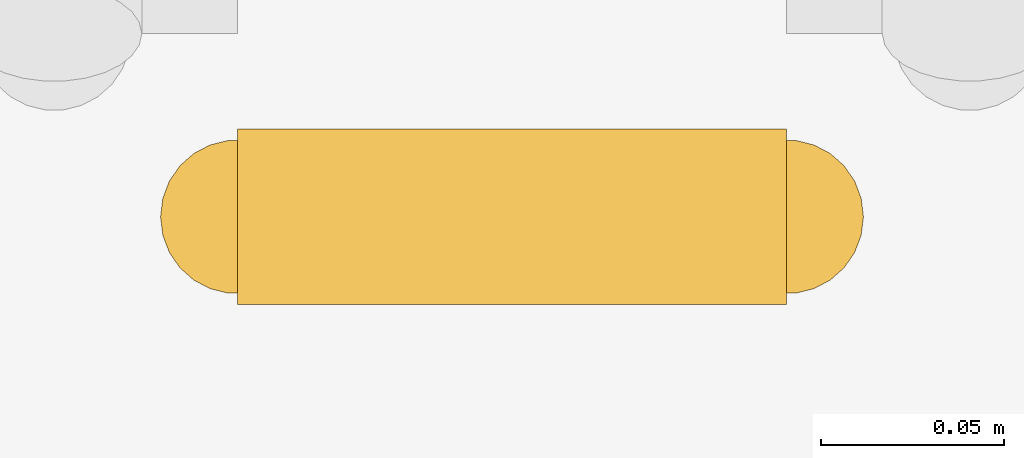
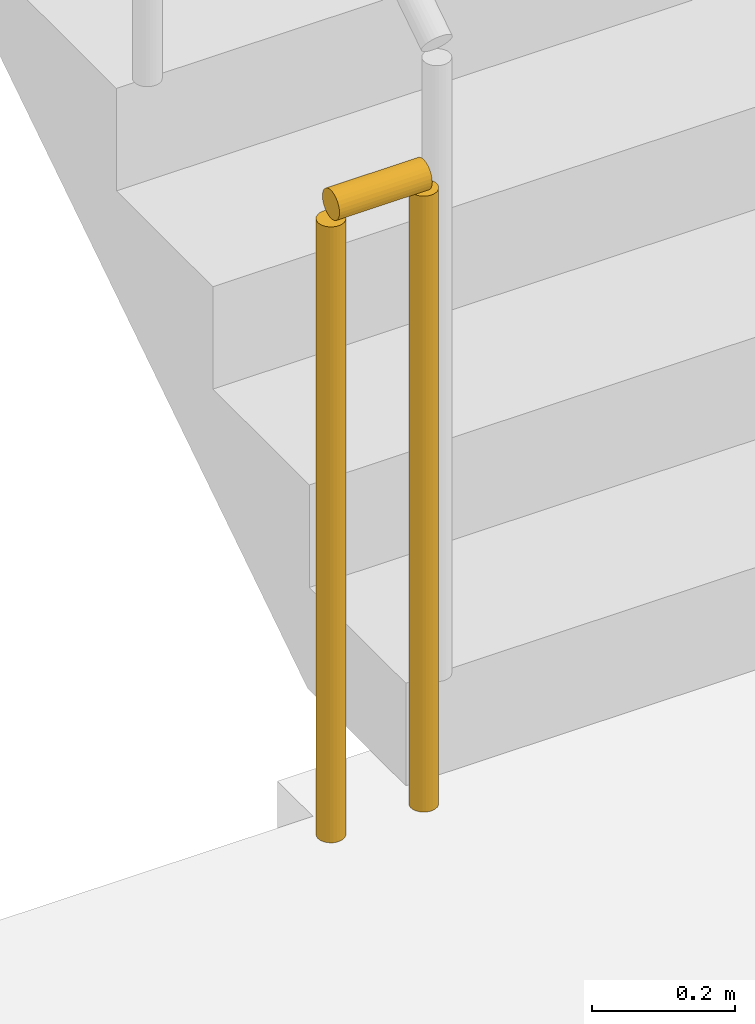
# One storey, part 16 of 19: 1 railing.
"""IFC4 building model written with IfcOpenShell, lengths in metres."""

from ifc_helpers import new_model, si_unit, direction, frame, origin, origin_2d, place, context, subcontext, project, spatial, circle, extrude, material, type_object, element, save


model = new_model("IFC4")

# Units and contexts
model_context = context("Model", 3, precision=1e-05, world=origin(), true_north=direction((0.0, 1.0)))
body_context = subcontext(model_context, "Body", "Model", "MODEL_VIEW")
ifc_project = project(units=[si_unit("LENGTHUNIT", "METRE"), si_unit("AREAUNIT", "SQUARE_METRE"), si_unit("VOLUMEUNIT", "CUBIC_METRE"), si_unit("PLANEANGLEUNIT", "RADIAN"), si_unit("MASSUNIT", "GRAM", prefix="KILO")], contexts=[model_context])

# Site, building, storey
site_placement = place(None, origin())
site = spatial("IfcSite", under=ifc_project, at=site_placement, CompositionType="ELEMENT")
building_placement = place(site_placement, origin())
building = spatial("IfcBuilding", under=site, at=building_placement, Name="Saffron Iwan Residences", CompositionType="ELEMENT")
storey_placement = place(building_placement, frame((0.0, 0.0, 264.0)))
storey = spatial("IfcBuildingStorey", under=building, at=storey_placement, Name="L71", CompositionType="ELEMENT", Elevation=264.0)

# Railing
ifc_material = material(Name="Steel S355", Category="steel")
railing_type = type_object("IfcRailingType", Name="Stair guard 1100", PredefinedType="GUARDRAIL", material=ifc_material)
railing_placement = place(storey_placement, frame((69.699951171875, 67.800048828125, 0.0)))
element("IfcRailing", 1, at=railing_placement, inside=storey, type_object=railing_type, Name="L71 ST-E stair guard 2", PredefinedType="GUARDRAIL", context=body_context, shape_type="SweptSolid", body=[
    extrude(circle(Radius=0.02392578125, at=origin_2d()), frame((0.0, 0.0, 1.076171875), z_axis=(-1.0, 0.0, 0.0), x_axis=(0.0, -1.0, 0.0)), (0.0, 0.0, 1.0), 0.14990234375),
    extrude(circle(Radius=0.02099609375, at=origin_2d()), origin(), (0.0, 0.0, 1.0), 1.052001953125),
    extrude(circle(Radius=0.02099609375, at=origin_2d()), frame((-0.14990234375, 0.0, 0.0)), (0.0, 0.0, 1.0), 1.052001953125),
])

save(model, "model.ifc")
